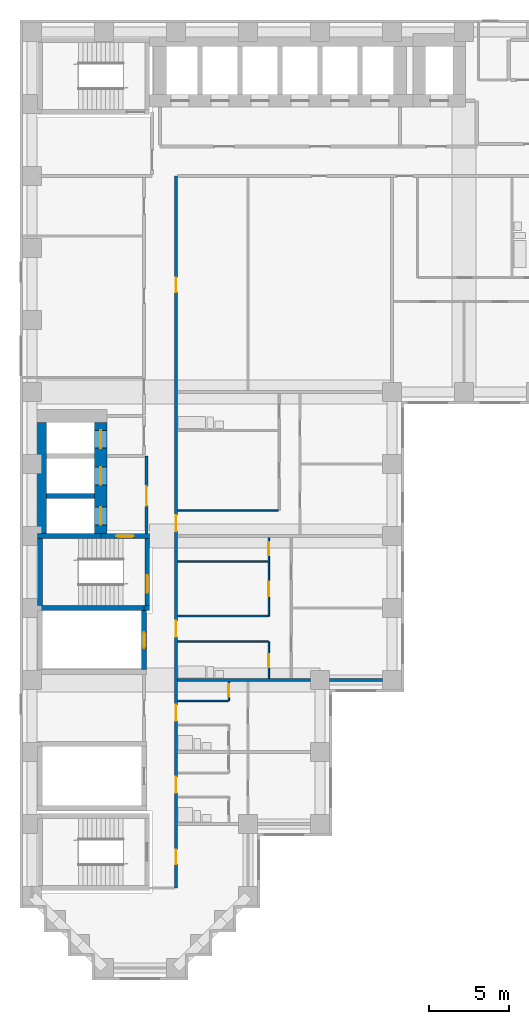
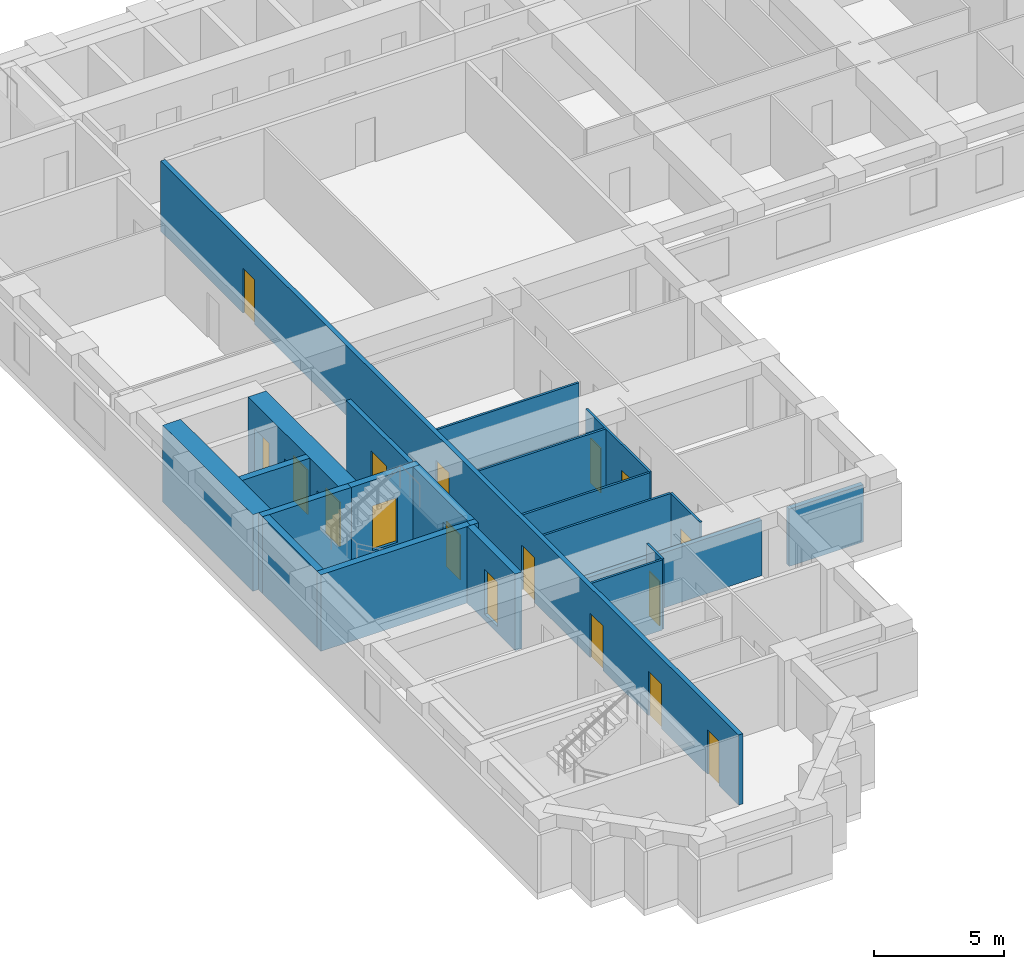
# One storey, part 3 of 12: 22 walls, 17 doors, 17 openings.
"""IFC4 building model written with IfcOpenShell, lengths in metres."""

from ifc_helpers import new_model, si_unit, direction, frame, frame_2d, origin, place, context, subcontext, project, spatial, rectangle, extrude, material, layer, layer_set, type_object, element, fill, save


model = new_model("IFC4")

# Units and contexts
model_context = context("Model", 3, precision=1e-05, world=origin(), true_north=direction((0.0, 1.0)))
body_context = subcontext(model_context, "Body", "Model", "MODEL_VIEW")
ifc_project = project(units=[si_unit("LENGTHUNIT", "METRE"), si_unit("AREAUNIT", "SQUARE_METRE"), si_unit("VOLUMEUNIT", "CUBIC_METRE"), si_unit("PLANEANGLEUNIT", "RADIAN"), si_unit("MASSUNIT", "GRAM", prefix="KILO")], contexts=[model_context])

# Site, building, storey
site_placement = place(None, origin())
site = spatial("IfcSite", under=ifc_project, at=site_placement, CompositionType="ELEMENT")
building_placement = place(site_placement, origin())
building = spatial("IfcBuilding", under=site, at=building_placement, Name="Firuza Court", CompositionType="ELEMENT")
storey_placement = place(building_placement, frame((0.0, 0.0, 65.0)))
storey = spatial("IfcBuildingStorey", under=building, at=storey_placement, Name="L15", CompositionType="ELEMENT", Elevation=65.0)

# Walls
ifc_material_1 = material(Name="Moisture-resistant gypsum board partition")
ifc_layer_1 = layer(ifc_material_1, 0.10009765625)
ifc_layer_set_1 = layer_set([ifc_layer_1], Name="Moisture-resistant gypsum board partition")
wall_type_1 = type_object("IfcWallType", Name="Bathroom partition 100", PredefinedType="PLUMBINGWALL", material=ifc_layer_set_1)
wall_1_placement = place(storey_placement, frame((9.10009765625, 20.39990234375, 0.0), z_axis=(0.0, 0.0, 1.0), x_axis=(1.0, 0.0, 0.0)))
element("IfcWall", 1, at=wall_1_placement, inside=storey, type_object=wall_type_1, Name="Bathroom partition 100 L15", PredefinedType="PLUMBINGWALL", context=body_context, shape_type="SweptSolid", body=[
    extrude(rectangle(XDim=5.64990234375, YDim=0.10009765625, at=frame_2d((2.824951171875, 0.0))), origin(), (0.0, 0.0, 1.0), 3.300048828125),
])
ifc_material_2 = material(Name="Concrete C60/75", Category="concrete")
ifc_layer_2 = layer(ifc_material_2, 0.300048828125)
ifc_layer_set_2 = layer_set([ifc_layer_2], Name="Concrete C60/75")
wall_type_2 = type_object("IfcWallType", Name="Core wall 300 C60/75", PredefinedType="SHEAR", material=ifc_layer_set_2)
wall_2_placement = place(storey_placement, frame((0.35009765625, 22.5, -0.300048828125), z_axis=(0.0, 0.0, 1.0), x_axis=(1.0, 0.0, 0.0)))
element("IfcWall", 2, at=wall_2_placement, inside=storey, type_object=wall_type_2, Name="Core wall riser L15", PredefinedType="SHEAR", context=body_context, shape_type="SweptSolid", body=[
    extrude(rectangle(XDim=6.64990234375, YDim=0.300048828125, at=frame_2d((3.324951171875, 0.0))), origin(), (0.0, 0.0, 1.0), 3.60009765625),
])
wall_3_placement = place(storey_placement, frame((0.35009765625, 27.0, -0.300048828125), z_axis=(0.0, 0.0, 1.0), x_axis=(1.0, 0.0, 0.0)))
element("IfcWall", 3, at=wall_3_placement, inside=storey, type_object=wall_type_2, Name="Core wall lift shaft L15", PredefinedType="SHEAR", context=body_context, shape_type="SweptSolid", body=[
    extrude(rectangle(XDim=3.949951171875, YDim=0.300048828125, at=frame_2d((1.97509765625, 0.0))), origin(), (0.0, 0.0, 1.0), 3.60009765625),
])
wall_4_placement = place(storey_placement, frame((0.5, 22.64990234375, -0.300048828125), z_axis=(0.0, 0.0, 1.0), x_axis=(0.0, 1.0, 0.0)))
element("IfcWall", 4, at=wall_4_placement, inside=storey, type_object=wall_type_2, Name="Core wall stair L15", PredefinedType="SHEAR", context=body_context, shape_type="SweptSolid", body=[
    extrude(rectangle(XDim=4.2001953125, YDim=0.300048828125, at=frame_2d((2.10009765625, 0.0))), origin(), (0.0, 0.0, 1.0), 3.60009765625),
])
wall_5_placement = place(storey_placement, frame((0.89990234375, 29.5, -0.300048828125), z_axis=(0.0, 0.0, 1.0), x_axis=(1.0, 0.0, 0.0)))
element("IfcWall", 5, at=wall_5_placement, inside=storey, type_object=wall_type_2, Name="Core wall lift shaft L15", PredefinedType="SHEAR", context=body_context, shape_type="SweptSolid", body=[
    extrude(rectangle(XDim=3.0, YDim=0.300048828125, at=frame_2d((1.5, 0.0))), origin(), (0.0, 0.0, 1.0), 3.60009765625),
])

# Wall, opening, door
wall_6_placement = place(storey_placement, frame((4.300048828125, 27.0, -0.300048828125), z_axis=(0.0, 0.0, 1.0), x_axis=(1.0, 0.0, 0.0)))
wall_6 = element("IfcWall", 6, at=wall_6_placement, inside=storey, type_object=wall_type_2, Name="Core wall stair L15", PredefinedType="SHEAR", context=body_context, shape_type="SweptSolid", body=[
    extrude(rectangle(XDim=3.050048828125, YDim=0.300048828125, at=frame_2d((1.52490234375, 0.0))), origin(), (0.0, 0.0, 1.0), 3.60009765625),
])
opening_1_placement = place(wall_6_placement, frame((0.949951171875, 0.0, 0.300048828125)))
opening_1 = element("IfcOpeningElement", 7, at=opening_1_placement, cuts=wall_6, Name="Opening D15014", PredefinedType="OPENING", context=body_context, shape_type="SweptSolid", body=[
    extrude(rectangle(XDim=1.10009765625, YDim=2.10009765625, at=frame_2d((0.550048828125, 1.050048828125))), frame((0.0, 0.162109375, 0.0), z_axis=(0.0, -1.0, 0.0), x_axis=(1.0, 0.0, 0.0)), (0.0, 0.0, 1.0), 0.323974609375),
])
ifc_material_3 = material(Name="Timber door leaf in hardwood frame", Category="wood")
door_type_1 = type_object("IfcDoorType", Name="Stair door 1100", OperationType="SINGLE_SWING_LEFT", PredefinedType="DOOR", material=ifc_material_3)
door_1_placement = place(opening_1_placement, frame((1.10009765625, 0.0, 0.0), z_axis=(0.0, 0.0, 1.0), x_axis=(-1.0, 0.0, 0.0)))
door_1 = element("IfcDoor", 8, at=door_1_placement, inside=storey, type_object=door_type_1, Name="Fire-fighting lobby door", OperationType="SINGLE_SWING_LEFT", OverallHeight=2.10009765625, OverallWidth=1.10009765625, PredefinedType="DOOR", context=body_context, shape_type="SweptSolid", body=[
    extrude(rectangle(XDim=1.10009765625, YDim=2.10009765625, at=frame_2d((0.550048828125, 1.050048828125))), frame((0.0, 0.02490234375, 0.0), z_axis=(0.0, -1.0, 0.0), x_axis=(1.0, 0.0, 0.0)), (0.0, 0.0, 1.0), 0.050048828125),
])
fill(opening_1, door_1)

wall_7_placement = place(storey_placement, frame((7.0, 18.64990234375, -0.300048828125), z_axis=(0.0, 0.0, 1.0), x_axis=(0.0, 1.0, 0.0)))
wall_7 = element("IfcWall", 9, at=wall_7_placement, inside=storey, type_object=wall_type_2, Name="Core wall riser L15", PredefinedType="SHEAR", context=body_context, shape_type="SweptSolid", body=[
    extrude(rectangle(XDim=3.7001953125, YDim=0.300048828125, at=frame_2d((1.85009765625, 0.0))), origin(), (0.0, 0.0, 1.0), 3.60009765625),
])
opening_2_placement = place(wall_7_placement, frame((1.35009765625, 0.0, 0.300048828125)))
opening_2 = element("IfcOpeningElement", 10, at=opening_2_placement, cuts=wall_7, Name="Opening D15010", PredefinedType="OPENING", context=body_context, shape_type="SweptSolid", body=[
    extrude(rectangle(XDim=1.0, YDim=2.10009765625, at=frame_2d((0.5, 1.050048828125))), frame((0.0, 0.162109375, 0.0), z_axis=(0.0, -1.0, 0.0), x_axis=(1.0, 0.0, 0.0)), (0.0, 0.0, 1.0), 0.323974609375),
])
ifc_material_4 = material(Name="Timber door leaf in hardwood frame", Category="wood")
door_type_2 = type_object("IfcDoorType", Name="Riser door 1000", OperationType="SINGLE_SWING_LEFT", PredefinedType="DOOR", material=ifc_material_4)
door_2_placement = place(opening_2_placement, origin())
door_2 = element("IfcDoor", 11, at=door_2_placement, inside=storey, type_object=door_type_2, Name="Riser door R1", OperationType="SINGLE_SWING_LEFT", OverallHeight=2.10009765625, OverallWidth=1.0, PredefinedType="DOOR", context=body_context, shape_type="SweptSolid", body=[
    extrude(rectangle(XDim=1.0, YDim=2.10009765625, at=frame_2d((0.5, 1.050048828125))), frame((0.0, 0.02490234375, 0.0), z_axis=(0.0, -1.0, 0.0), x_axis=(1.0, 0.0, 0.0)), (0.0, 0.0, 1.0), 0.050048828125),
])
fill(opening_2, door_2)

# Wall
wall_8_placement = place(storey_placement, frame((7.0, 22.5, -0.300048828125), z_axis=(0.0, 0.0, 1.0), x_axis=(1.0, 0.0, 0.0)))
element("IfcWall", 12, at=wall_8_placement, inside=storey, type_object=wall_type_2, Name="Core wall stair L15", PredefinedType="SHEAR", context=body_context, shape_type="SweptSolid", body=[
    extrude(rectangle(XDim=0.35009765625, YDim=0.300048828125, at=frame_2d((0.175048828125, 0.0))), origin(), (0.0, 0.0, 1.0), 3.60009765625),
])

# Wall, opening, door
wall_9_placement = place(storey_placement, frame((7.199951171875, 22.64990234375, -0.300048828125), z_axis=(0.0, 0.0, 1.0), x_axis=(0.0, 1.0, 0.0)))
wall_9 = element("IfcWall", 13, at=wall_9_placement, inside=storey, type_object=wall_type_2, Name="Core wall stair L15", PredefinedType="SHEAR", context=body_context, shape_type="SweptSolid", body=[
    extrude(rectangle(XDim=4.2001953125, YDim=0.300048828125, at=frame_2d((2.10009765625, 0.0))), origin(), (0.0, 0.0, 1.0), 3.60009765625),
])
opening_3_placement = place(wall_9_placement, frame((0.800048828125, 0.0, 0.300048828125)))
opening_3 = element("IfcOpeningElement", 14, at=opening_3_placement, cuts=wall_9, Name="Opening D15015", PredefinedType="OPENING", context=body_context, shape_type="SweptSolid", body=[
    extrude(rectangle(XDim=1.10009765625, YDim=2.10009765625, at=frame_2d((0.550048828125, 1.050048828125))), frame((0.0, 0.162109375, 0.0), z_axis=(0.0, -1.0, 0.0), x_axis=(1.0, 0.0, 0.0)), (0.0, 0.0, 1.0), 0.323974609375),
])
door_3_placement = place(opening_3_placement, origin())
door_3 = element("IfcDoor", 15, at=door_3_placement, inside=storey, type_object=door_type_1, Name="Stair door S2", OperationType="SINGLE_SWING_LEFT", OverallHeight=2.10009765625, OverallWidth=1.10009765625, PredefinedType="DOOR", context=body_context, shape_type="SweptSolid", body=[
    extrude(rectangle(XDim=1.10009765625, YDim=2.10009765625, at=frame_2d((0.550048828125, 1.050048828125))), frame((0.0, 0.02490234375, 0.0), z_axis=(0.0, -1.0, 0.0), x_axis=(1.0, 0.0, 0.0)), (0.0, 0.0, 1.0), 0.050048828125),
])
fill(opening_3, door_3)

# Wall
ifc_layer_3 = layer(ifc_material_2, 0.800048828125)
ifc_layer_set_3 = layer_set([ifc_layer_3], Name="Concrete C60/75")
wall_type_3 = type_object("IfcWallType", Name="Core wall 800 C60/75", PredefinedType="SHEAR", material=ifc_layer_set_3)
wall_10_placement = place(storey_placement, frame((0.5, 27.14990234375, -0.300048828125), z_axis=(0.0, 0.0, 1.0), x_axis=(0.0, 1.0, 0.0)))
element("IfcWall", 16, at=wall_10_placement, inside=storey, type_object=wall_type_3, Name="Core wall lift shaft L15", PredefinedType="SHEAR", context=body_context, shape_type="SweptSolid", body=[
    extrude(rectangle(XDim=6.9501953125, YDim=0.800048828125, at=frame_2d((3.47509765625, 0.0))), origin(), (0.0, 0.0, 1.0), 3.60009765625),
])

# Wall, openings, doors
wall_11_placement = place(storey_placement, frame((4.300048828125, 27.14990234375, -0.300048828125), z_axis=(0.0, 0.0, 1.0), x_axis=(0.0, 1.0, 0.0)))
wall_11 = element("IfcWall", 17, at=wall_11_placement, inside=storey, type_object=wall_type_3, Name="Core wall lift shaft L15", PredefinedType="SHEAR", context=body_context, shape_type="SweptSolid", body=[
    extrude(rectangle(XDim=6.9501953125, YDim=0.800048828125, at=frame_2d((3.47509765625, 0.0))), origin(), (0.0, 0.0, 1.0), 3.60009765625),
])
opening_4_placement = place(wall_11_placement, frame((3.050048828125, 0.0, 0.300048828125)))
opening_4 = element("IfcOpeningElement", 18, at=opening_4_placement, cuts=wall_11, Name="Opening LD-FL1-15", PredefinedType="OPENING", context=body_context, shape_type="SweptSolid", body=[
    extrude(rectangle(XDim=1.10009765625, YDim=2.10009765625, at=frame_2d((0.550048828125, 1.050048828125))), frame((0.0, 0.412109375, 0.0), z_axis=(0.0, -1.0, 0.0), x_axis=(1.0, 0.0, 0.0)), (0.0, 0.0, 1.0), 0.823974609375),
])
opening_5_placement = place(wall_11_placement, frame((0.550048828125, 0.0, 0.300048828125)))
opening_5 = element("IfcOpeningElement", 19, at=opening_5_placement, cuts=wall_11, Name="Opening LD-FL2-15", PredefinedType="OPENING", context=body_context, shape_type="SweptSolid", body=[
    extrude(rectangle(XDim=1.10009765625, YDim=2.10009765625, at=frame_2d((0.550048828125, 1.050048828125))), frame((0.0, 0.412109375, 0.0), z_axis=(0.0, -1.0, 0.0), x_axis=(1.0, 0.0, 0.0)), (0.0, 0.0, 1.0), 0.823974609375),
])
opening_6_placement = place(wall_11_placement, frame((5.35009765625, 0.0, 0.300048828125)))
opening_6 = element("IfcOpeningElement", 20, at=opening_6_placement, cuts=wall_11, Name="Opening LD-SL1-15", PredefinedType="OPENING", context=body_context, shape_type="SweptSolid", body=[
    extrude(rectangle(XDim=1.10009765625, YDim=2.10009765625, at=frame_2d((0.550048828125, 1.050048828125))), frame((0.0, 0.412109375, 0.0), z_axis=(0.0, -1.0, 0.0), x_axis=(1.0, 0.0, 0.0)), (0.0, 0.0, 1.0), 0.823974609375),
])
ifc_material_5 = material(Name="Stainless steel 1.4301 door leaf", Category="steel")
door_type_3 = type_object("IfcDoorType", Name="Lift landing door 1100", OperationType="SLIDING_TO_LEFT", PredefinedType="DOOR", material=ifc_material_5)
door_4_placement = place(opening_4_placement, origin())
door_4 = element("IfcDoor", 21, at=door_4_placement, inside=storey, type_object=door_type_3, Name="Landing door FL1", OperationType="SLIDING_TO_LEFT", OverallHeight=2.10009765625, OverallWidth=1.10009765625, PredefinedType="DOOR", context=body_context, shape_type="SweptSolid", body=[
    extrude(rectangle(XDim=1.10009765625, YDim=2.10009765625, at=frame_2d((0.550048828125, 1.050048828125))), frame((0.0, 0.02490234375, 0.0), z_axis=(0.0, -1.0, 0.0), x_axis=(1.0, 0.0, 0.0)), (0.0, 0.0, 1.0), 0.050048828125),
])
fill(opening_4, door_4)
door_5_placement = place(opening_5_placement, origin())
door_5 = element("IfcDoor", 22, at=door_5_placement, inside=storey, type_object=door_type_3, Name="Landing door FL2", OperationType="SLIDING_TO_LEFT", OverallHeight=2.10009765625, OverallWidth=1.10009765625, PredefinedType="DOOR", context=body_context, shape_type="SweptSolid", body=[
    extrude(rectangle(XDim=1.10009765625, YDim=2.10009765625, at=frame_2d((0.550048828125, 1.050048828125))), frame((0.0, 0.02490234375, 0.0), z_axis=(0.0, -1.0, 0.0), x_axis=(1.0, 0.0, 0.0)), (0.0, 0.0, 1.0), 0.050048828125),
])
fill(opening_5, door_5)
door_6_placement = place(opening_6_placement, origin())
door_6 = element("IfcDoor", 23, at=door_6_placement, inside=storey, type_object=door_type_3, Name="Landing door SL1", OperationType="SLIDING_TO_LEFT", OverallHeight=2.10009765625, OverallWidth=1.10009765625, PredefinedType="DOOR", context=body_context, shape_type="SweptSolid", body=[
    extrude(rectangle(XDim=1.10009765625, YDim=2.10009765625, at=frame_2d((0.550048828125, 1.050048828125))), frame((0.0, 0.02490234375, 0.0), z_axis=(0.0, -1.0, 0.0), x_axis=(1.0, 0.0, 0.0)), (0.0, 0.0, 1.0), 0.050048828125),
])
fill(opening_6, door_6)

ifc_material_6 = material(Name="Blockwork, plastered both sides", Category="masonry")
ifc_layer_4 = layer(ifc_material_6, 0.199951171875)
ifc_layer_set_4 = layer_set([ifc_layer_4], Name="Blockwork, plastered both sides")
wall_type_4 = type_object("IfcWallType", Name="Corridor wall 200", PredefinedType="PARTITIONING", material=ifc_layer_set_4)
wall_12_placement = place(storey_placement, frame((9.0, 5.0, 0.0), z_axis=(0.0, 0.0, 1.0), x_axis=(0.0, 1.0, 0.0)))
wall_12 = element("IfcWall", 24, at=wall_12_placement, inside=storey, type_object=wall_type_4, Name="Corridor wall 200 L15", PredefinedType="PARTITIONING", context=body_context, shape_type="SweptSolid", body=[
    extrude(rectangle(XDim=44.5, YDim=0.199951171875, at=frame_2d((22.25, 0.0))), origin(), (0.0, 0.0, 1.0), 3.300048828125),
])
opening_7_placement = place(wall_12_placement, frame((22.300048828125, 0.0, 0.0)))
opening_7 = element("IfcOpeningElement", 25, at=opening_7_placement, cuts=wall_12, Name="Opening D15019", PredefinedType="OPENING", context=body_context, shape_type="SweptSolid", body=[
    extrude(rectangle(XDim=1.0, YDim=2.10009765625, at=frame_2d((0.5, 1.050048828125))), frame((0.0, 0.11181640625, 0.0), z_axis=(0.0, -1.0, 0.0), x_axis=(1.0, 0.0, 0.0)), (0.0, 0.0, 1.0), 0.223876953125),
])
opening_8_placement = place(wall_12_placement, frame((15.699951171875, 0.0, 0.0)))
opening_8 = element("IfcOpeningElement", 26, at=opening_8_placement, cuts=wall_12, Name="Opening D15020", PredefinedType="OPENING", context=body_context, shape_type="SweptSolid", body=[
    extrude(rectangle(XDim=1.0, YDim=2.10009765625, at=frame_2d((0.5, 1.050048828125))), frame((0.0, 0.11181640625, 0.0), z_axis=(0.0, -1.0, 0.0), x_axis=(1.0, 0.0, 0.0)), (0.0, 0.0, 1.0), 0.223876953125),
])
opening_9_placement = place(wall_12_placement, frame((10.449951171875, 0.0, 0.0)))
opening_9 = element("IfcOpeningElement", 27, at=opening_9_placement, cuts=wall_12, Name="Opening D15021", PredefinedType="OPENING", context=body_context, shape_type="SweptSolid", body=[
    extrude(rectangle(XDim=1.0, YDim=2.10009765625, at=frame_2d((0.5, 1.050048828125))), frame((0.0, 0.11181640625, 0.0), z_axis=(0.0, -1.0, 0.0), x_axis=(1.0, 0.0, 0.0)), (0.0, 0.0, 1.0), 0.223876953125),
])
opening_10_placement = place(wall_12_placement, frame((5.949951171875, 0.0, 0.0)))
opening_10 = element("IfcOpeningElement", 28, at=opening_10_placement, cuts=wall_12, Name="Opening D15022", PredefinedType="OPENING", context=body_context, shape_type="SweptSolid", body=[
    extrude(rectangle(XDim=1.0, YDim=2.10009765625, at=frame_2d((0.5, 1.050048828125))), frame((0.0, 0.11181640625, 0.0), z_axis=(0.0, -1.0, 0.0), x_axis=(1.0, 0.0, 0.0)), (0.0, 0.0, 1.0), 0.223876953125),
])
opening_11_placement = place(wall_12_placement, frame((37.25, 0.0, 0.0)))
opening_11 = element("IfcOpeningElement", 29, at=opening_11_placement, cuts=wall_12, Name="Opening D15023", PredefinedType="OPENING", context=body_context, shape_type="SweptSolid", body=[
    extrude(rectangle(XDim=0.89990234375, YDim=2.10009765625, at=frame_2d((0.449951171875, 1.050048828125))), frame((0.0, 0.11181640625, 0.0), z_axis=(0.0, -1.0, 0.0), x_axis=(1.0, 0.0, 0.0)), (0.0, 0.0, 1.0), 0.223876953125),
])
opening_12_placement = place(wall_12_placement, frame((1.5, 0.0, 0.0)))
opening_12 = element("IfcOpeningElement", 30, at=opening_12_placement, cuts=wall_12, Name="Opening D15024", PredefinedType="OPENING", context=body_context, shape_type="SweptSolid", body=[
    extrude(rectangle(XDim=0.89990234375, YDim=2.10009765625, at=frame_2d((0.449951171875, 1.050048828125))), frame((0.0, 0.11181640625, 0.0), z_axis=(0.0, -1.0, 0.0), x_axis=(1.0, 0.0, 0.0)), (0.0, 0.0, 1.0), 0.223876953125),
])
ifc_material_7 = material(Name="Timber door leaf in hardwood frame", Category="wood")
door_type_4 = type_object("IfcDoorType", Name="Flat entrance door 1000", OperationType="SINGLE_SWING_LEFT", PredefinedType="DOOR", material=ifc_material_7)
door_7_placement = place(opening_7_placement, origin())
door_7 = element("IfcDoor", 31, at=door_7_placement, inside=storey, type_object=door_type_4, Name="Flat entrance door", OperationType="SINGLE_SWING_LEFT", OverallHeight=2.10009765625, OverallWidth=1.0, PredefinedType="DOOR", context=body_context, shape_type="SweptSolid", body=[
    extrude(rectangle(XDim=1.0, YDim=2.10009765625, at=frame_2d((0.5, 1.050048828125))), frame((0.0, 0.02490234375, 0.0), z_axis=(0.0, -1.0, 0.0), x_axis=(1.0, 0.0, 0.0)), (0.0, 0.0, 1.0), 0.050048828125),
])
fill(opening_7, door_7)
door_8_placement = place(opening_8_placement, origin())
door_8 = element("IfcDoor", 32, at=door_8_placement, inside=storey, type_object=door_type_4, Name="Flat entrance door", OperationType="SINGLE_SWING_LEFT", OverallHeight=2.10009765625, OverallWidth=1.0, PredefinedType="DOOR", context=body_context, shape_type="SweptSolid", body=[
    extrude(rectangle(XDim=1.0, YDim=2.10009765625, at=frame_2d((0.5, 1.050048828125))), frame((0.0, 0.02490234375, 0.0), z_axis=(0.0, -1.0, 0.0), x_axis=(1.0, 0.0, 0.0)), (0.0, 0.0, 1.0), 0.050048828125),
])
fill(opening_8, door_8)
door_9_placement = place(opening_9_placement, origin())
door_9 = element("IfcDoor", 33, at=door_9_placement, inside=storey, type_object=door_type_4, Name="Flat entrance door", OperationType="SINGLE_SWING_LEFT", OverallHeight=2.10009765625, OverallWidth=1.0, PredefinedType="DOOR", context=body_context, shape_type="SweptSolid", body=[
    extrude(rectangle(XDim=1.0, YDim=2.10009765625, at=frame_2d((0.5, 1.050048828125))), frame((0.0, 0.02490234375, 0.0), z_axis=(0.0, -1.0, 0.0), x_axis=(1.0, 0.0, 0.0)), (0.0, 0.0, 1.0), 0.050048828125),
])
fill(opening_9, door_9)
door_10_placement = place(opening_10_placement, origin())
door_10 = element("IfcDoor", 34, at=door_10_placement, inside=storey, type_object=door_type_4, Name="Flat entrance door", OperationType="SINGLE_SWING_LEFT", OverallHeight=2.10009765625, OverallWidth=1.0, PredefinedType="DOOR", context=body_context, shape_type="SweptSolid", body=[
    extrude(rectangle(XDim=1.0, YDim=2.10009765625, at=frame_2d((0.5, 1.050048828125))), frame((0.0, 0.02490234375, 0.0), z_axis=(0.0, -1.0, 0.0), x_axis=(1.0, 0.0, 0.0)), (0.0, 0.0, 1.0), 0.050048828125),
])
fill(opening_10, door_10)
ifc_material_8 = material(Name="Timber door leaf in hardwood frame", Category="wood")
door_type_5 = type_object("IfcDoorType", Name="Room door 900 EI 30", OperationType="SINGLE_SWING_LEFT", PredefinedType="DOOR", material=ifc_material_8)
door_11_placement = place(opening_11_placement, frame((0.89990234375, 0.0, 0.0), z_axis=(0.0, 0.0, 1.0), x_axis=(-1.0, 0.0, 0.0)))
door_11 = element("IfcDoor", 35, at=door_11_placement, inside=storey, type_object=door_type_5, Name="Music room door", OperationType="SINGLE_SWING_RIGHT", OverallHeight=2.10009765625, OverallWidth=0.89990234375, PredefinedType="DOOR", context=body_context, shape_type="SweptSolid", body=[
    extrude(rectangle(XDim=0.89990234375, YDim=2.10009765625, at=frame_2d((0.449951171875, 1.050048828125))), frame((0.0, 0.02490234375, 0.0), z_axis=(0.0, -1.0, 0.0), x_axis=(1.0, 0.0, 0.0)), (0.0, 0.0, 1.0), 0.050048828125),
])
fill(opening_11, door_11)
door_12_placement = place(opening_12_placement, frame((0.89990234375, 0.0, 0.0), z_axis=(0.0, 0.0, 1.0), x_axis=(-1.0, 0.0, 0.0)))
door_12 = element("IfcDoor", 36, at=door_12_placement, inside=storey, type_object=door_type_5, Name="Games room door", OperationType="SINGLE_SWING_LEFT", OverallHeight=2.10009765625, OverallWidth=0.89990234375, PredefinedType="DOOR", context=body_context, shape_type="SweptSolid", body=[
    extrude(rectangle(XDim=0.89990234375, YDim=2.10009765625, at=frame_2d((0.449951171875, 1.050048828125))), frame((0.0, 0.02490234375, 0.0), z_axis=(0.0, -1.0, 0.0), x_axis=(1.0, 0.0, 0.0)), (0.0, 0.0, 1.0), 0.050048828125),
])
fill(opening_12, door_12)

# Wall
ifc_material_9 = material(Name="Timber stud partition, plasterboard both sides", Category="wood")
ifc_layer_5 = layer(ifc_material_9, 0.10009765625)
ifc_layer_set_5 = layer_set([ifc_layer_5], Name="Timber stud partition, plasterboard both sides")
wall_type_5 = type_object("IfcWallType", Name="Partition wall 100", PredefinedType="PARTITIONING", material=ifc_layer_set_5)
wall_13_placement = place(storey_placement, frame((9.10009765625, 16.699951171875, 0.0), z_axis=(0.0, 0.0, 1.0), x_axis=(1.0, 0.0, 0.0)))
element("IfcWall", 37, at=wall_13_placement, inside=storey, type_object=wall_type_5, Name="Partition wall 100 L15", PredefinedType="PARTITIONING", context=body_context, shape_type="SweptSolid", body=[
    extrude(rectangle(XDim=3.14990234375, YDim=0.10009765625, at=frame_2d((1.574951171875, 0.0))), origin(), (0.0, 0.0, 1.0), 3.300048828125),
])

# Wall, opening, door
wall_14_placement = place(storey_placement, frame((12.300048828125, 16.699951171875, 0.0), z_axis=(0.0, 0.0, 1.0), x_axis=(0.0, 1.0, 0.0)))
wall_14 = element("IfcWall", 38, at=wall_14_placement, inside=storey, type_object=wall_type_5, Name="Partition wall 100 L15", PredefinedType="PARTITIONING", context=body_context, shape_type="SweptSolid", body=[
    extrude(rectangle(XDim=1.199951171875, YDim=0.10009765625, at=frame_2d((0.60009765625, 0.0))), origin(), (0.0, 0.0, 1.0), 3.300048828125),
])
opening_13_placement = place(wall_14_placement, frame((0.25, 0.0, 0.0)))
opening_13 = element("IfcOpeningElement", 39, at=opening_13_placement, cuts=wall_14, Name="Opening D15031", PredefinedType="OPENING", context=body_context, shape_type="SweptSolid", body=[
    extrude(rectangle(XDim=0.800048828125, YDim=2.10009765625, at=frame_2d((0.39990234375, 1.050048828125))), frame((0.0, 0.06201171875, 0.0), z_axis=(0.0, -1.0, 0.0), x_axis=(1.0, 0.0, 0.0)), (0.0, 0.0, 1.0), 0.1240234375),
])
ifc_material_10 = material(Name="Timber door leaf in hardwood frame", Category="wood")
door_type_6 = type_object("IfcDoorType", Name="Room door 800", OperationType="SINGLE_SWING_LEFT", PredefinedType="DOOR", material=ifc_material_10)
door_13_placement = place(opening_13_placement, origin())
door_13 = element("IfcDoor", 40, at=door_13_placement, inside=storey, type_object=door_type_6, Name="Kitchen door", OperationType="SINGLE_SWING_LEFT", OverallHeight=2.10009765625, OverallWidth=0.800048828125, PredefinedType="DOOR", context=body_context, shape_type="SweptSolid", body=[
    extrude(rectangle(XDim=0.800048828125, YDim=2.10009765625, at=frame_2d((0.39990234375, 1.050048828125))), frame((0.0, 0.02490234375, 0.0), z_axis=(0.0, -1.0, 0.0), x_axis=(1.0, 0.0, 0.0)), (0.0, 0.0, 1.0), 0.050048828125),
])
fill(opening_13, door_13)

wall_15_placement = place(storey_placement, frame((14.800048828125, 18.10009765625, 0.0), z_axis=(0.0, 0.0, 1.0), x_axis=(0.0, 1.0, 0.0)))
wall_15 = element("IfcWall", 41, at=wall_15_placement, inside=storey, type_object=wall_type_5, Name="Partition wall 100 L15", PredefinedType="PARTITIONING", context=body_context, shape_type="SweptSolid", body=[
    extrude(rectangle(XDim=2.2998046875, YDim=0.10009765625, at=frame_2d((1.14990234375, 0.0))), origin(), (0.0, 0.0, 1.0), 3.300048828125),
])
opening_14_placement = place(wall_15_placement, frame((0.699951171875, 0.0, 0.0)))
opening_14 = element("IfcOpeningElement", 42, at=opening_14_placement, cuts=wall_15, Name="Opening D15032", PredefinedType="OPENING", context=body_context, shape_type="SweptSolid", body=[
    extrude(rectangle(XDim=0.800048828125, YDim=2.10009765625, at=frame_2d((0.39990234375, 1.050048828125))), frame((0.0, 0.06201171875, 0.0), z_axis=(0.0, -1.0, 0.0), x_axis=(1.0, 0.0, 0.0)), (0.0, 0.0, 1.0), 0.1240234375),
])
ifc_material_11 = material(Name="Timber door leaf in hardwood frame", Category="wood")
door_type_7 = type_object("IfcDoorType", Name="Bathroom door 800", OperationType="SINGLE_SWING_LEFT", PredefinedType="DOOR", material=ifc_material_11)
door_14_placement = place(opening_14_placement, origin())
door_14 = element("IfcDoor", 43, at=door_14_placement, inside=storey, type_object=door_type_7, Name="Bathroom door", OperationType="SINGLE_SWING_LEFT", OverallHeight=2.10009765625, OverallWidth=0.800048828125, PredefinedType="DOOR", context=body_context, shape_type="SweptSolid", body=[
    extrude(rectangle(XDim=0.800048828125, YDim=2.10009765625, at=frame_2d((0.39990234375, 1.050048828125))), frame((0.0, 0.02490234375, 0.0), z_axis=(0.0, -1.0, 0.0), x_axis=(1.0, 0.0, 0.0)), (0.0, 0.0, 1.0), 0.050048828125),
])
fill(opening_14, door_14)

# Wall
wall_16_placement = place(storey_placement, frame((9.10009765625, 22.0, 0.0), z_axis=(0.0, 0.0, 1.0), x_axis=(1.0, 0.0, 0.0)))
element("IfcWall", 44, at=wall_16_placement, inside=storey, type_object=wall_type_5, Name="Partition wall 100 L15", PredefinedType="PARTITIONING", context=body_context, shape_type="SweptSolid", body=[
    extrude(rectangle(XDim=5.64990234375, YDim=0.10009765625, at=frame_2d((2.824951171875, 0.0))), origin(), (0.0, 0.0, 1.0), 3.300048828125),
])

# Wall, openings, doors
wall_17_placement = place(storey_placement, frame((14.800048828125, 22.0, 0.0), z_axis=(0.0, 0.0, 1.0), x_axis=(0.0, 1.0, 0.0)))
wall_17 = element("IfcWall", 45, at=wall_17_placement, inside=storey, type_object=wall_type_5, Name="Partition wall 100 L15", PredefinedType="PARTITIONING", context=body_context, shape_type="SweptSolid", body=[
    extrude(rectangle(XDim=4.89990234375, YDim=0.10009765625, at=frame_2d((2.449951171875, 0.0))), origin(), (0.0, 0.0, 1.0), 3.300048828125),
])
opening_15_placement = place(wall_17_placement, frame((1.25, 0.0, 0.0)))
opening_15 = element("IfcOpeningElement", 46, at=opening_15_placement, cuts=wall_17, Name="Opening D15035", PredefinedType="OPENING", context=body_context, shape_type="SweptSolid", body=[
    extrude(rectangle(XDim=0.89990234375, YDim=2.10009765625, at=frame_2d((0.449951171875, 1.050048828125))), frame((0.0, 0.06201171875, 0.0), z_axis=(0.0, -1.0, 0.0), x_axis=(1.0, 0.0, 0.0)), (0.0, 0.0, 1.0), 0.1240234375),
])
opening_16_placement = place(wall_17_placement, frame((3.800048828125, 0.0, 0.0)))
opening_16 = element("IfcOpeningElement", 47, at=opening_16_placement, cuts=wall_17, Name="Opening D15036", PredefinedType="OPENING", context=body_context, shape_type="SweptSolid", body=[
    extrude(rectangle(XDim=0.800048828125, YDim=2.10009765625, at=frame_2d((0.39990234375, 1.050048828125))), frame((0.0, 0.06201171875, 0.0), z_axis=(0.0, -1.0, 0.0), x_axis=(1.0, 0.0, 0.0)), (0.0, 0.0, 1.0), 0.1240234375),
])
door_15_placement = place(opening_16_placement, origin())
door_15 = element("IfcDoor", 48, at=door_15_placement, inside=storey, type_object=door_type_6, Name="Store door", OperationType="SINGLE_SWING_LEFT", OverallHeight=2.10009765625, OverallWidth=0.800048828125, PredefinedType="DOOR", context=body_context, shape_type="SweptSolid", body=[
    extrude(rectangle(XDim=0.800048828125, YDim=2.10009765625, at=frame_2d((0.39990234375, 1.050048828125))), frame((0.0, 0.02490234375, 0.0), z_axis=(0.0, -1.0, 0.0), x_axis=(1.0, 0.0, 0.0)), (0.0, 0.0, 1.0), 0.050048828125),
])
fill(opening_16, door_15)
ifc_material_12 = material(Name="Timber door leaf in hardwood frame", Category="wood")
door_type_8 = type_object("IfcDoorType", Name="Room door 900", OperationType="SINGLE_SWING_LEFT", PredefinedType="DOOR", material=ifc_material_12)
door_16_placement = place(opening_15_placement, origin())
door_16 = element("IfcDoor", 49, at=door_16_placement, inside=storey, type_object=door_type_8, Name="Kitchen door", OperationType="SINGLE_SWING_LEFT", OverallHeight=2.10009765625, OverallWidth=0.89990234375, PredefinedType="DOOR", context=body_context, shape_type="SweptSolid", body=[
    extrude(rectangle(XDim=0.89990234375, YDim=2.10009765625, at=frame_2d((0.449951171875, 1.050048828125))), frame((0.0, 0.02490234375, 0.0), z_axis=(0.0, -1.0, 0.0), x_axis=(1.0, 0.0, 0.0)), (0.0, 0.0, 1.0), 0.050048828125),
])
fill(opening_15, door_16)

# Walls
wall_18_placement = place(storey_placement, frame((9.10009765625, 25.39990234375, 0.0), z_axis=(0.0, 0.0, 1.0), x_axis=(1.0, 0.0, 0.0)))
element("IfcWall", 50, at=wall_18_placement, inside=storey, type_object=wall_type_5, Name="Partition wall 100 L15", PredefinedType="PARTITIONING", context=body_context, shape_type="SweptSolid", body=[
    extrude(rectangle(XDim=5.64990234375, YDim=0.10009765625, at=frame_2d((2.824951171875, 0.0))), origin(), (0.0, 0.0, 1.0), 3.300048828125),
])
wall_19_placement = place(storey_placement, frame((9.10009765625, 28.60009765625, 0.0), z_axis=(0.0, 0.0, 1.0), x_axis=(1.0, 0.0, 0.0)))
element("IfcWall", 51, at=wall_19_placement, inside=storey, type_object=wall_type_5, Name="Partition wall 100 L15", PredefinedType="PARTITIONING", context=body_context, shape_type="SweptSolid", body=[
    extrude(rectangle(XDim=6.2998046875, YDim=0.10009765625, at=frame_2d((3.14990234375, 0.0))), origin(), (0.0, 0.0, 1.0), 3.300048828125),
])
ifc_layer_6 = layer(ifc_material_6, 0.199951171875)
ifc_layer_set_6 = layer_set([ifc_layer_6], Name="Blockwork, plastered both sides")
wall_type_6 = type_object("IfcWallType", Name="Party wall 200", PredefinedType="PARTITIONING", material=ifc_layer_set_6)
wall_20_placement = place(storey_placement, frame((9.10009765625, 18.0, 0.0), z_axis=(0.0, 0.0, 1.0), x_axis=(1.0, 0.0, 0.0)))
element("IfcWall", 52, at=wall_20_placement, inside=storey, type_object=wall_type_6, Name="Party wall 200 L15", PredefinedType="PARTITIONING", context=body_context, shape_type="SweptSolid", body=[
    extrude(rectangle(XDim=8.2998046875, YDim=0.199951171875, at=frame_2d((4.14990234375, 0.0))), origin(), (0.0, 0.0, 1.0), 2.60009765625),
])
wall_21_placement = place(storey_placement, frame((18.60009765625, 18.0, 0.0), z_axis=(0.0, 0.0, 1.0), x_axis=(1.0, 0.0, 0.0)))
element("IfcWall", 53, at=wall_21_placement, inside=storey, type_object=wall_type_6, Name="Party wall 200 L15", PredefinedType="PARTITIONING", context=body_context, shape_type="SweptSolid", body=[
    extrude(rectangle(XDim=3.2998046875, YDim=0.199951171875, at=frame_2d((1.64990234375, 0.0))), origin(), (0.0, 0.0, 1.0), 2.699951171875),
])

# Wall, opening, door
ifc_material_13 = material(Name="Blockwork, fire-rated", Category="masonry")
ifc_layer_7 = layer(ifc_material_13, 0.199951171875)
ifc_layer_set_7 = layer_set([ifc_layer_7], Name="Blockwork, fire-rated")
wall_type_7 = type_object("IfcWallType", Name="Shaft wall 200", PredefinedType="PARTITIONING", material=ifc_layer_set_7)
wall_22_placement = place(storey_placement, frame((7.14990234375, 27.169921875, 0.0), z_axis=(0.0, 0.0, 1.0), x_axis=(0.0, 1.0, 0.0)))
wall_22 = element("IfcWall", 54, at=wall_22_placement, inside=storey, type_object=wall_type_7, Name="Shaft wall 200 L15", PredefinedType="PARTITIONING", context=body_context, shape_type="SweptSolid", body=[
    extrude(rectangle(XDim=4.830078125, YDim=0.199951171875, at=frame_2d((2.4150390625, 0.0))), origin(), (0.0, 0.0, 1.0), 3.300048828125),
])
opening_17_placement = place(wall_22_placement, frame((1.72998046875, 0.0, 0.0)))
opening_17 = element("IfcOpeningElement", 55, at=opening_17_placement, cuts=wall_22, Name="Opening D15002", PredefinedType="OPENING", context=body_context, shape_type="SweptSolid", body=[
    extrude(rectangle(XDim=1.199951171875, YDim=2.10009765625, at=frame_2d((0.60009765625, 1.050048828125))), frame((0.0, 0.11181640625, 0.0), z_axis=(0.0, -1.0, 0.0), x_axis=(1.0, 0.0, 0.0)), (0.0, 0.0, 1.0), 0.223876953125),
])
ifc_material_14 = material(Name="Timber door leaf in hardwood frame", Category="wood")
door_type_9 = type_object("IfcDoorType", Name="Lobby door 1200", OperationType="SINGLE_SWING_LEFT", PredefinedType="DOOR", material=ifc_material_14)
door_17_placement = place(opening_17_placement, origin())
door_17 = element("IfcDoor", 56, at=door_17_placement, inside=storey, type_object=door_type_9, Name="Fire-fighting lobby door", OperationType="SINGLE_SWING_LEFT", OverallHeight=2.10009765625, OverallWidth=1.199951171875, PredefinedType="DOOR", context=body_context, shape_type="SweptSolid", body=[
    extrude(rectangle(XDim=1.199951171875, YDim=2.10009765625, at=frame_2d((0.60009765625, 1.050048828125))), frame((0.0, 0.02490234375, 0.0), z_axis=(0.0, -1.0, 0.0), x_axis=(1.0, 0.0, 0.0)), (0.0, 0.0, 1.0), 0.050048828125),
])
fill(opening_17, door_17)

save(model, "model.ifc")
